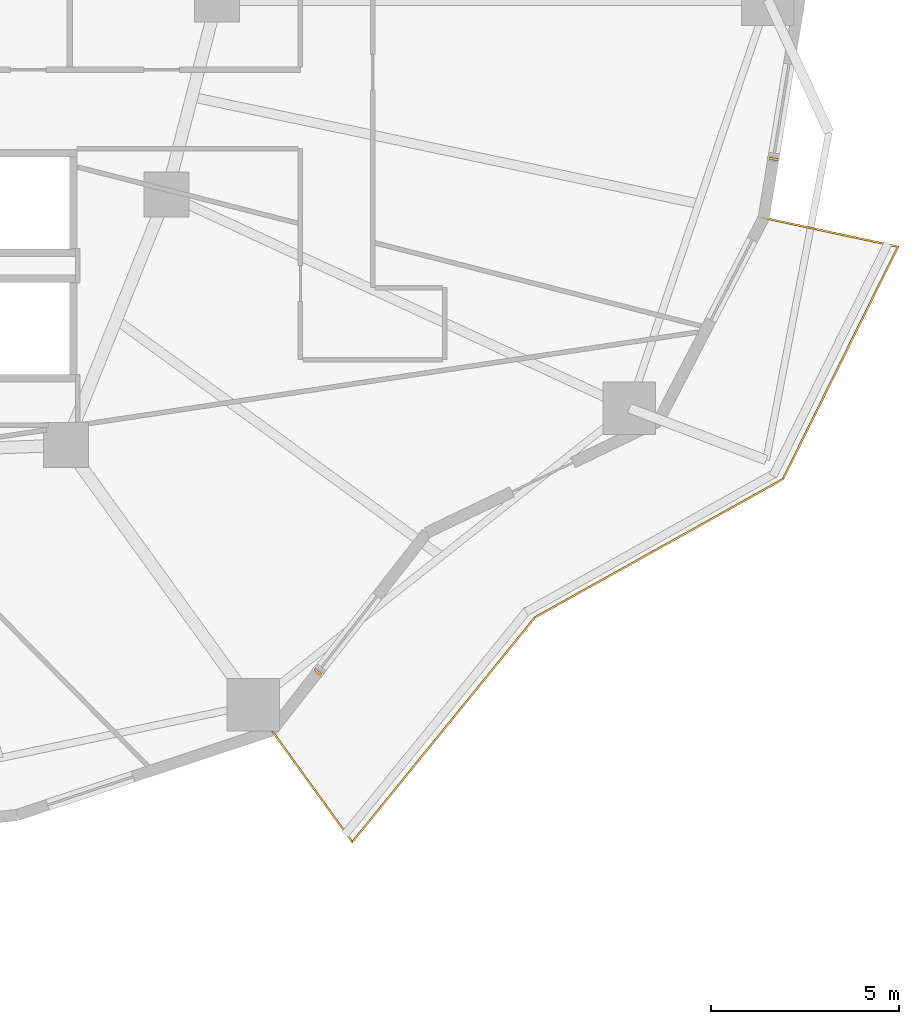
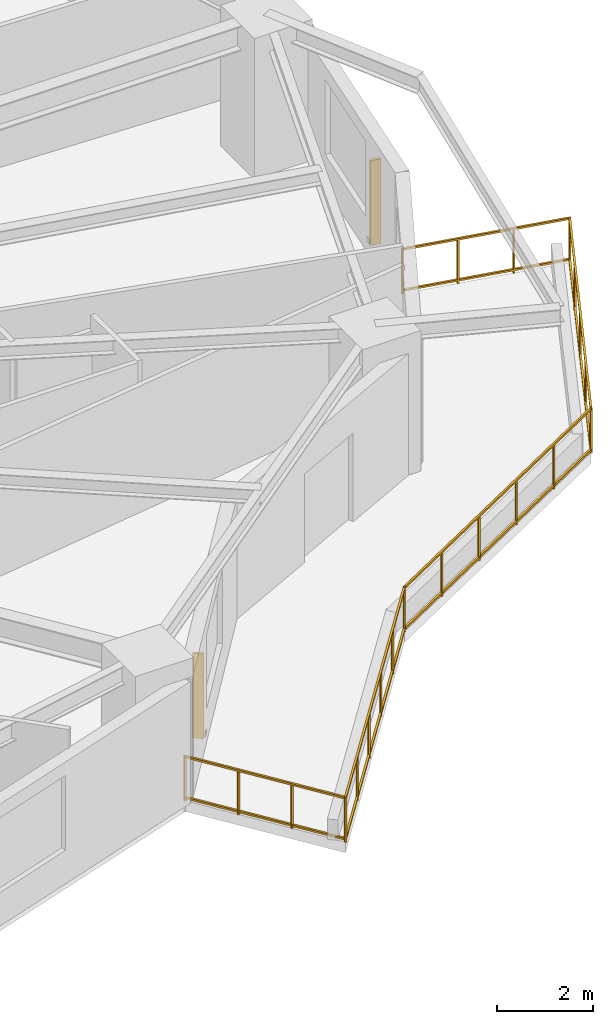
# One storey, part 13 of 14: 2 shading devices, 1 railing.
"""IFC4 building model written with IfcOpenShell, lengths in metres."""

from ifc_helpers import new_model, si_unit, direction, frame, origin, origin_2d, place, context, subcontext, project, spatial, rectangle, extrude, material, type_object, element, save


model = new_model("IFC4")

# Units and contexts
model_context = context("Model", 3, precision=1e-05, world=origin(), true_north=direction((0.0, 1.0)))
body_context = subcontext(model_context, "Body", "Model", "MODEL_VIEW")
ifc_project = project(units=[si_unit("LENGTHUNIT", "METRE"), si_unit("AREAUNIT", "SQUARE_METRE"), si_unit("VOLUMEUNIT", "CUBIC_METRE"), si_unit("PLANEANGLEUNIT", "RADIAN"), si_unit("MASSUNIT", "GRAM", prefix="KILO")], contexts=[model_context])

# Site, building, storey
site_placement = place(None, origin())
site = spatial("IfcSite", under=ifc_project, at=site_placement, CompositionType="ELEMENT")
building_placement = place(site_placement, origin())
building = spatial("IfcBuilding", under=site, at=building_placement, Name="Kolvaren Gate Tower and Convention Centre", CompositionType="ELEMENT")
storey_placement = place(building_placement, frame((0.0, 0.0, 45.75)))
storey = spatial("IfcBuildingStorey", under=building, at=storey_placement, Name="L10", CompositionType="ELEMENT", Elevation=45.75)

# Railing
ifc_material_1 = material(Name="Brushed Stainless Steel Grade 316L", Category="steel")
railing_type = type_object("IfcRailingType", Name="ARCH-RL-GUARD-1150", PredefinedType="GUARDRAIL", material=ifc_material_1)
railing_placement = place(storey_placement, frame((44.1875, 7.514404296875, 0.0)))
element("IfcRailing", 1, at=railing_placement, inside=storey, type_object=railing_type, Name="Tower L10 Terrace Perimeter Guardrail GR-4", PredefinedType="GUARDRAIL", context=body_context, shape_type="SweptSolid", body=[
    extrude(rectangle(XDim=0.048095703125, YDim=0.048095703125, at=origin_2d()), frame((0.016357421875, -0.022705078125, 1.1259765625), z_axis=(0.585212870465, -0.810879705161, 0.0), x_axis=(0.810879705161, 0.585212870465, 0.0)), (0.0, 0.0, 1.0), 3.603759765625),
    extrude(rectangle(XDim=0.048095703125, YDim=0.048095703125, at=origin_2d()), frame((0.016357421875, -0.022705078125, 0.083984375), z_axis=(0.585212870465, -0.810879705161, 0.0), x_axis=(0.810879705161, 0.585212870465, 0.0)), (0.0, 0.0, 1.0), 3.603759765625),
    extrude(rectangle(XDim=0.048095703125, YDim=0.048095703125, at=origin_2d()), frame((2.159423828125, -2.946044921875, 1.1259765625), z_axis=(0.631012936188, 0.775772308324, 0.0), x_axis=(-0.775772308324, 0.631012936188, 0.0)), (0.0, 0.0, 1.0), 7.661376953125),
    extrude(rectangle(XDim=0.048095703125, YDim=0.048095703125, at=origin_2d()), frame((2.159423828125, -2.946044921875, 0.083984375), z_axis=(0.631012936188, 0.775772308324, 0.0), x_axis=(-0.775772308324, 0.631012936188, 0.0)), (0.0, 0.0, 1.0), 7.661376953125),
    extrude(rectangle(XDim=0.048095703125, YDim=0.048095703125, at=origin_2d()), frame((7.0361328125, 3.032958984375, 1.1259765625), z_axis=(0.873486390754, 0.486848564923, 0.0), x_axis=(-0.486848564923, 0.873486390754, 0.0)), (0.0, 0.0, 1.0), 7.506103515625),
    extrude(rectangle(XDim=0.048095703125, YDim=0.048095703125, at=origin_2d()), frame((7.0361328125, 3.032958984375, 0.083984375), z_axis=(0.873486390754, 0.486848564923, 0.0), x_axis=(-0.486848564923, 0.873486390754, 0.0)), (0.0, 0.0, 1.0), 7.506103515625),
    extrude(rectangle(XDim=0.048095703125, YDim=0.048095703125, at=origin_2d()), frame((13.629638671875, 6.72607421875, 1.1259765625), z_axis=(0.443578479433, 0.8962355341, 0.0), x_axis=(-0.8962355341, 0.443578479433, 0.0)), (0.0, 0.0, 1.0), 6.855224609375),
    extrude(rectangle(XDim=0.048095703125, YDim=0.048095703125, at=origin_2d()), frame((13.629638671875, 6.72607421875, 0.083984375), z_axis=(0.443578479433, 0.8962355341, 0.0), x_axis=(-0.8962355341, 0.443578479433, 0.0)), (0.0, 0.0, 1.0), 6.855224609375),
    extrude(rectangle(XDim=0.048095703125, YDim=0.048095703125, at=origin_2d()), frame((16.655517578125, 12.90087890625, 1.1259765625), z_axis=(-0.977788745232, 0.209592866525, 0.0), x_axis=(-0.209592866525, -0.977788745232, 0.0)), (0.0, 0.0, 1.0), 3.603759765625),
    extrude(rectangle(XDim=0.048095703125, YDim=0.048095703125, at=origin_2d()), frame((16.655517578125, 12.90087890625, 0.083984375), z_axis=(-0.977788745232, 0.209592866525, 0.0), x_axis=(-0.209592866525, -0.977788745232, 0.0)), (0.0, 0.0, 1.0), 3.603759765625),
    extrude(rectangle(XDim=0.0419921875, YDim=0.0419921875, at=origin_2d()), origin(), (0.0, 0.0, 1.0), 1.14990234375),
    extrude(rectangle(XDim=0.0419921875, YDim=0.0419921875, at=origin_2d()), frame((2.141845703125, -2.9677734375, 0.0)), (0.0, 0.0, 1.0), 1.14990234375),
    extrude(rectangle(XDim=0.0419921875, YDim=0.0419921875, at=origin_2d()), frame((0.7138671875, -0.9892578125, 0.0)), (0.0, 0.0, 1.0), 1.099853515625),
    extrude(rectangle(XDim=0.0419921875, YDim=0.0419921875, at=origin_2d()), frame((1.427978515625, -1.978515625, 0.0)), (0.0, 0.0, 1.0), 1.099853515625),
    extrude(rectangle(XDim=0.0419921875, YDim=0.0419921875, at=origin_2d()), frame((7.01171875, 3.019287109375, 0.0)), (0.0, 0.0, 1.0), 1.14990234375),
    extrude(rectangle(XDim=0.0419921875, YDim=0.0419921875, at=origin_2d()), frame((3.11572265625, -1.770263671875, 0.0)), (0.0, 0.0, 1.0), 1.099853515625),
    extrude(rectangle(XDim=0.0419921875, YDim=0.0419921875, at=origin_2d()), frame((4.08984375, -0.572998046875, 0.0)), (0.0, 0.0, 1.0), 1.099853515625),
    extrude(rectangle(XDim=0.0419921875, YDim=0.0419921875, at=origin_2d()), frame((5.063720703125, 0.62451171875, 0.0)), (0.0, 0.0, 1.0), 1.099853515625),
    extrude(rectangle(XDim=0.0419921875, YDim=0.0419921875, at=origin_2d()), frame((6.037841796875, 1.82177734375, 0.0)), (0.0, 0.0, 1.0), 1.099853515625),
    extrude(rectangle(XDim=0.0419921875, YDim=0.0419921875, at=origin_2d()), frame((13.6171875, 6.700927734375, 0.0)), (0.0, 0.0, 1.0), 1.14990234375),
    extrude(rectangle(XDim=0.0419921875, YDim=0.0419921875, at=origin_2d()), frame((8.332763671875, 3.755615234375, 0.0)), (0.0, 0.0, 1.0), 1.099853515625),
    extrude(rectangle(XDim=0.0419921875, YDim=0.0419921875, at=origin_2d()), frame((9.65380859375, 4.491943359375, 0.0)), (0.0, 0.0, 1.0), 1.099853515625),
    extrude(rectangle(XDim=0.0419921875, YDim=0.0419921875, at=origin_2d()), frame((10.97509765625, 5.228271484375, 0.0)), (0.0, 0.0, 1.0), 1.099853515625),
    extrude(rectangle(XDim=0.0419921875, YDim=0.0419921875, at=origin_2d()), frame((12.296142578125, 5.964599609375, 0.0)), (0.0, 0.0, 1.0), 1.099853515625),
    extrude(rectangle(XDim=0.0419921875, YDim=0.0419921875, at=origin_2d()), frame((16.682861328125, 12.89501953125, 0.0)), (0.0, 0.0, 1.0), 1.14990234375),
    extrude(rectangle(XDim=0.0419921875, YDim=0.0419921875, at=origin_2d()), frame((14.383544921875, 8.24951171875, 0.0)), (0.0, 0.0, 1.0), 1.099853515625),
    extrude(rectangle(XDim=0.0419921875, YDim=0.0419921875, at=origin_2d()), frame((15.14990234375, 9.7978515625, 0.0)), (0.0, 0.0, 1.0), 1.099853515625),
    extrude(rectangle(XDim=0.0419921875, YDim=0.0419921875, at=origin_2d()), frame((15.91650390625, 11.346435546875, 0.0)), (0.0, 0.0, 1.0), 1.099853515625),
    extrude(rectangle(XDim=0.0419921875, YDim=0.0419921875, at=origin_2d()), frame((13.104248046875, 13.662109375, 0.0)), (0.0, 0.0, 1.0), 1.14990234375),
    extrude(rectangle(XDim=0.0419921875, YDim=0.0419921875, at=origin_2d()), frame((15.489990234375, 13.150634765625, 0.0)), (0.0, 0.0, 1.0), 1.099853515625),
    extrude(rectangle(XDim=0.0419921875, YDim=0.0419921875, at=origin_2d()), frame((14.297119140625, 13.406494140625, 0.0)), (0.0, 0.0, 1.0), 1.099853515625),
])

# Shading devices
ifc_material_2 = material(Name="Kiln-Fired Bogota Terracotta Ceramic Louvre Profile", Category="masonry")
shading_device_type = type_object("IfcShadingDeviceType", Name="ARCH-SHD-FIN-180", PredefinedType="JALOUSIE", material=ifc_material_2)
for number, where, z_axis, x_axis, name in (
    (2, (45.4130859375, 9.079833984375, 0.219970703125), (0.0, 0.0, 1.0), (0.616424499081, 0.787414018756, 0.0), "Ceramic Vertical Brise-Soleil Fin FN-L10-20"),
    (3, (57.550048828125, 22.74658203125, 0.219970703125), (0.0, 0.0, 1.0), (0.162377123682, 0.986728772108, 0.0), "Ceramic Vertical Brise-Soleil Fin FN-L10-23"),
):
    element("IfcShadingDevice", number, at=place(storey_placement, frame(where, z_axis=z_axis, x_axis=x_axis)), inside=storey, type_object=shading_device_type, Name=name, PredefinedType="JALOUSIE", context=body_context, shape_type="SweptSolid", body=[
        extrude(rectangle(XDim=0.06005859375, YDim=0.239990234375, at=origin_2d()), origin(), (0.0, 0.0, 1.0), 2.14990234375),
    ])

save(model, "model.ifc")
